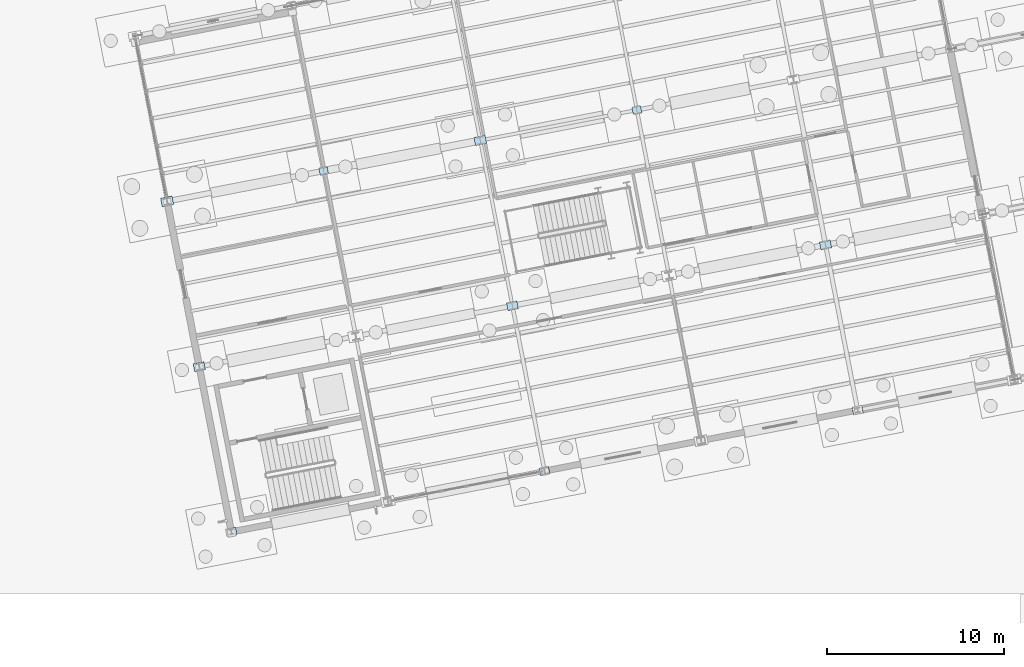
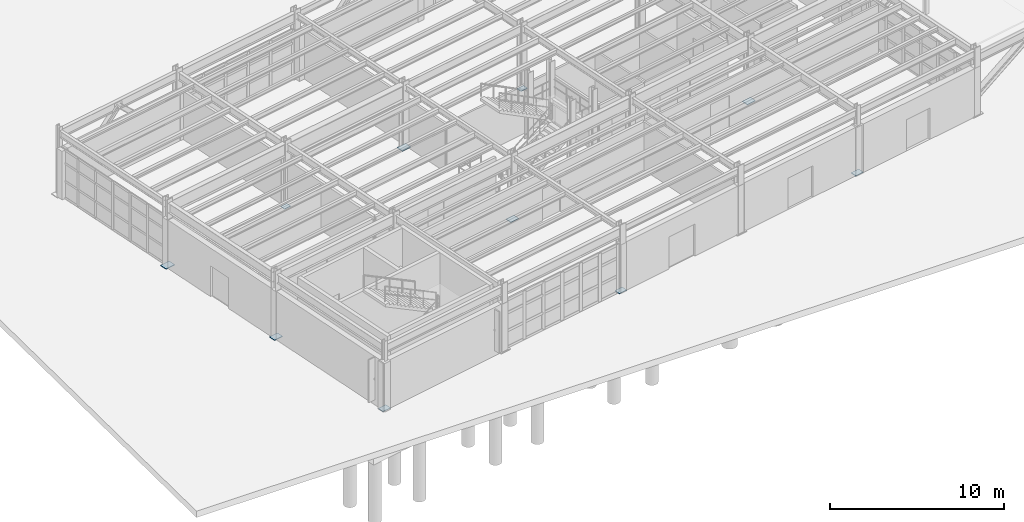
# One storey, part 70 of 108: 10 plates.
"""IFC4 building model written with IfcOpenShell, lengths in metres."""

from ifc_helpers import new_model, si_unit, direction, frame, origin, origin_2d, place, context, subcontext, project, spatial, rectangle, extrude, material, layer, layer_set, type_object, element, save


model = new_model("IFC4")

# Units and contexts
model_context = context("Model", 3, precision=1e-05, world=origin(), true_north=direction((0.0, 1.0)))
body_context = subcontext(model_context, "Body", "Model", "MODEL_VIEW")
ifc_project = project(units=[si_unit("LENGTHUNIT", "METRE"), si_unit("AREAUNIT", "SQUARE_METRE"), si_unit("VOLUMEUNIT", "CUBIC_METRE"), si_unit("PLANEANGLEUNIT", "RADIAN"), si_unit("MASSUNIT", "GRAM", prefix="KILO")], contexts=[model_context])

# Site, building, storey
site_placement = place(None, origin())
site = spatial("IfcSite", under=ifc_project, at=site_placement, CompositionType="ELEMENT")
building_placement = place(site_placement, origin())
building = spatial("IfcBuilding", under=site, at=building_placement, Name="Vireo Bluff Cable Station", CompositionType="ELEMENT")
storey_placement = place(building_placement, origin())
storey = spatial("IfcBuildingStorey", under=building, at=storey_placement, Name="L00", CompositionType="ELEMENT", Elevation=0.0)

# Plates
ifc_material = material(Name="Steel ASTM A572 Gr. 50", Category="steel")
ifc_layer_1 = layer(ifc_material, 0.02490234375, Name="Steel ASTM A572 Gr. 50")
ifc_layer_set_1 = layer_set([ifc_layer_1], Name="Steel ASTM A572 Gr. 50")
plate_type_1 = type_object("IfcPlateType", Name="BASEPLATE-480X340X25", PredefinedType="SHEET", material=ifc_layer_set_1)
plate_1_placement = place(storey_placement, frame((14.709228515625, 25.8681640625, 0.0), z_axis=(0.0, 0.0, 1.0), x_axis=(0.981627183448, 0.190808995377, 0.0)))
element("IfcPlate", 1, at=plate_1_placement, inside=storey, type_object=plate_type_1, Name="V5 column baseplate 224", PredefinedType="SHEET", context=body_context, shape_type="SweptSolid", body=[
    extrude(rectangle(XDim=0.47998046875, YDim=0.340087890625, at=origin_2d()), origin(), (0.0, 0.0, 1.0), 0.02490234375),
])
ifc_layer_2 = layer(ifc_material, 0.02587890625, Name="Steel ASTM A572 Gr. 50")
ifc_layer_set_2 = layer_set([ifc_layer_2], Name="Steel ASTM A572 Gr. 50")
plate_type_2 = type_object("IfcPlateType", Name="BASEPLATE-500X360X26", PredefinedType="SHEET", material=ifc_layer_set_2)
plate_2_placement = place(storey_placement, frame((32.378662109375, 29.302734375, 0.0), z_axis=(0.0, 0.0, 1.0), x_axis=(0.981627183448, 0.190808995377, 0.0)))
element("IfcPlate", 2, at=plate_2_placement, inside=storey, type_object=plate_type_2, Name="V5 column baseplate 232", PredefinedType="SHEET", context=body_context, shape_type="SweptSolid", body=[
    extrude(rectangle(XDim=0.5, YDim=0.360107421875, at=origin_2d()), origin(), (0.0, 0.0, 1.0), 0.02587890625),
])
ifc_layer_3 = layer(ifc_material, 0.031982421875, Name="Steel ASTM A572 Gr. 50")
ifc_layer_set_3 = layer_set([ifc_layer_3], Name="Steel ASTM A572 Gr. 50")
plate_type_3 = type_object("IfcPlateType", Name="BASEPLATE-560X400X32", PredefinedType="SHEET", material=ifc_layer_set_3)
plate_3_placement = place(storey_placement, frame((27.169189453125, 8.9345703125, 0.0), z_axis=(0.0, 0.0, 1.0), x_axis=(0.981627183448, 0.190808995377, 0.0)))
element("IfcPlate", 3, at=plate_3_placement, inside=storey, type_object=plate_type_3, Name="V5 column baseplate 226", PredefinedType="SHEET", context=body_context, shape_type="SweptSolid", body=[
    extrude(rectangle(XDim=0.56005859375, YDim=0.39990234375, at=origin_2d()), origin(), (0.0, 0.0, 1.0), 0.031982421875),
])
ifc_layer_4 = layer(ifc_material, 0.033935546875, Name="Steel ASTM A572 Gr. 50")
ifc_layer_set_4 = layer_set([ifc_layer_4], Name="Steel ASTM A572 Gr. 50")
plate_type_4 = type_object("IfcPlateType", Name="BASEPLATE-580X420X34", PredefinedType="SHEET", material=ifc_layer_set_4)
for number, where, z_axis, x_axis, name in (
    (4, (9.5, 5.5, 0.0), (0.0, 0.0, 1.0), (0.981627183448, 0.190808995377, 0.0), "V5 column baseplate 218"),
    (5, (44.838623046875, 12.369140625, 0.0), (0.0, 0.0, 1.0), (0.981627183448, 0.190808995377, 0.0), "V5 column baseplate 234"),
):
    element("IfcPlate", number, at=place(storey_placement, frame(where, z_axis=z_axis, x_axis=x_axis)), inside=storey, type_object=plate_type_4, Name=name, PredefinedType="SHEET", context=body_context, shape_type="SweptSolid", body=[
        extrude(rectangle(XDim=0.580078125, YDim=0.419921875, at=origin_2d()), origin(), (0.0, 0.0, 1.0), 0.033935546875),
    ])
ifc_layer_5 = layer(ifc_material, 0.035888671875, Name="Steel ASTM A572 Gr. 50")
ifc_layer_set_5 = layer_set([ifc_layer_5], Name="Steel ASTM A572 Gr. 50")
plate_type_5 = type_object("IfcPlateType", Name="BASEPLATE-600X440X36", PredefinedType="SHEET", material=ifc_layer_set_5)
plate_4_placement = place(storey_placement, frame((25.356689453125, 18.260009765625, 0.0), z_axis=(0.0, 0.0, 1.0), x_axis=(0.981627183448, 0.190808995377, 0.0)))
element("IfcPlate", 6, at=plate_4_placement, inside=storey, type_object=plate_type_5, Name="V5 column baseplate 227", PredefinedType="SHEET", context=body_context, shape_type="SweptSolid", body=[
    extrude(rectangle(XDim=0.60009765625, YDim=0.43994140625, at=origin_2d()), origin(), (0.0, 0.0, 1.0), 0.035888671875),
])
ifc_layer_6 = layer(ifc_material, 0.0380859375, Name="Steel ASTM A572 Gr. 50")
ifc_layer_set_6 = layer_set([ifc_layer_6], Name="Steel ASTM A572 Gr. 50")
plate_type_6 = type_object("IfcPlateType", Name="BASEPLATE-620X450X38", PredefinedType="SHEET", material=ifc_layer_set_6)
for number, where, z_axis, x_axis, name in (
    (7, (7.687255859375, 14.825439453125, 0.0), (0.0, 0.0, 1.0), (0.981627183448, 0.190808995377, 0.0), "V5 column baseplate 219"),
    (8, (43.02587890625, 21.694580078125, 0.0), (0.0, 0.0, 1.0), (0.981627183448, 0.190808995377, 0.0), "V5 column baseplate 235"),
):
    element("IfcPlate", number, at=place(storey_placement, frame(where, z_axis=z_axis, x_axis=x_axis)), inside=storey, type_object=plate_type_6, Name=name, PredefinedType="SHEET", context=body_context, shape_type="SweptSolid", body=[
        extrude(rectangle(XDim=0.6201171875, YDim=0.449951171875, at=origin_2d()), origin(), (0.0, 0.0, 1.0), 0.0380859375),
    ])
ifc_layer_7 = layer(ifc_material, 0.0400390625, Name="Steel ASTM A572 Gr. 50")
ifc_layer_set_7 = layer_set([ifc_layer_7], Name="Steel ASTM A572 Gr. 50")
plate_type_7 = type_object("IfcPlateType", Name="BASEPLATE-640X460X40", PredefinedType="SHEET", material=ifc_layer_set_7)
plate_5_placement = place(storey_placement, frame((23.5439453125, 27.58544921875, 0.0), z_axis=(0.0, 0.0, 1.0), x_axis=(0.981627183448, 0.190808995377, 0.0)))
element("IfcPlate", 9, at=plate_5_placement, inside=storey, type_object=plate_type_7, Name="V5 column baseplate 228", PredefinedType="SHEET", context=body_context, shape_type="SweptSolid", body=[
    extrude(rectangle(XDim=0.639892578125, YDim=0.4599609375, at=origin_2d()), origin(), (0.0, 0.0, 1.0), 0.0400390625),
])
ifc_layer_8 = layer(ifc_material, 0.041015625, Name="Steel ASTM A572 Gr. 50")
ifc_layer_set_8 = layer_set([ifc_layer_8], Name="Steel ASTM A572 Gr. 50")
plate_type_8 = type_object("IfcPlateType", Name="BASEPLATE-660X480X41", PredefinedType="SHEET", material=ifc_layer_set_8)
plate_6_placement = place(storey_placement, frame((5.87451171875, 24.15087890625, 0.0), z_axis=(0.0, 0.0, 1.0), x_axis=(0.981627183448, 0.190808995377, 0.0)))
element("IfcPlate", 10, at=plate_6_placement, inside=storey, type_object=plate_type_8, Name="V5 column baseplate 220", PredefinedType="SHEET", context=body_context, shape_type="SweptSolid", body=[
    extrude(rectangle(XDim=0.659912109375, YDim=0.47998046875, at=origin_2d()), origin(), (0.0, 0.0, 1.0), 0.041015625),
])

save(model, "model.ifc")
